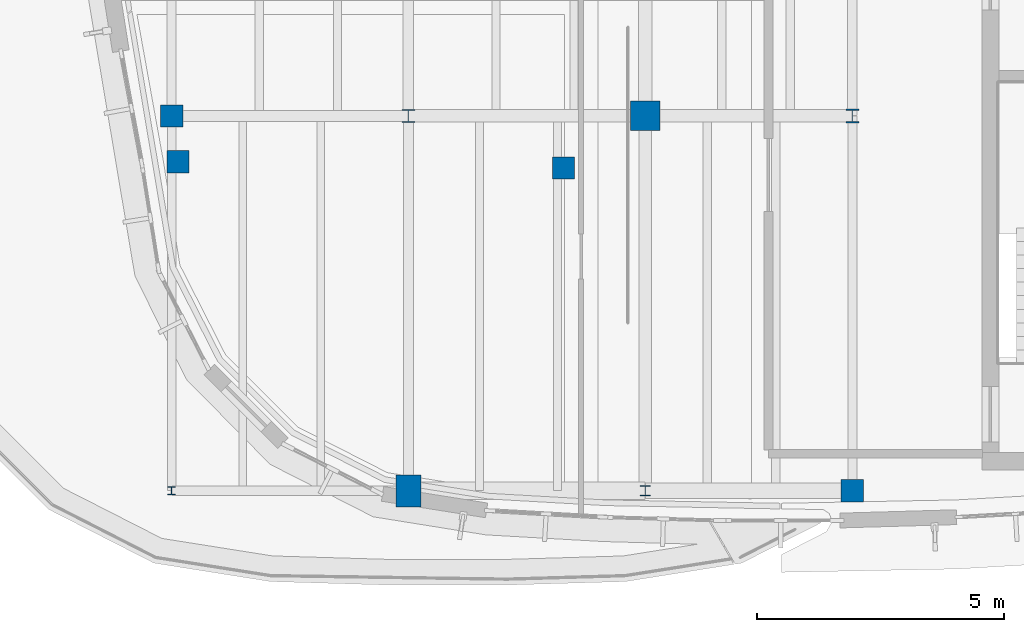
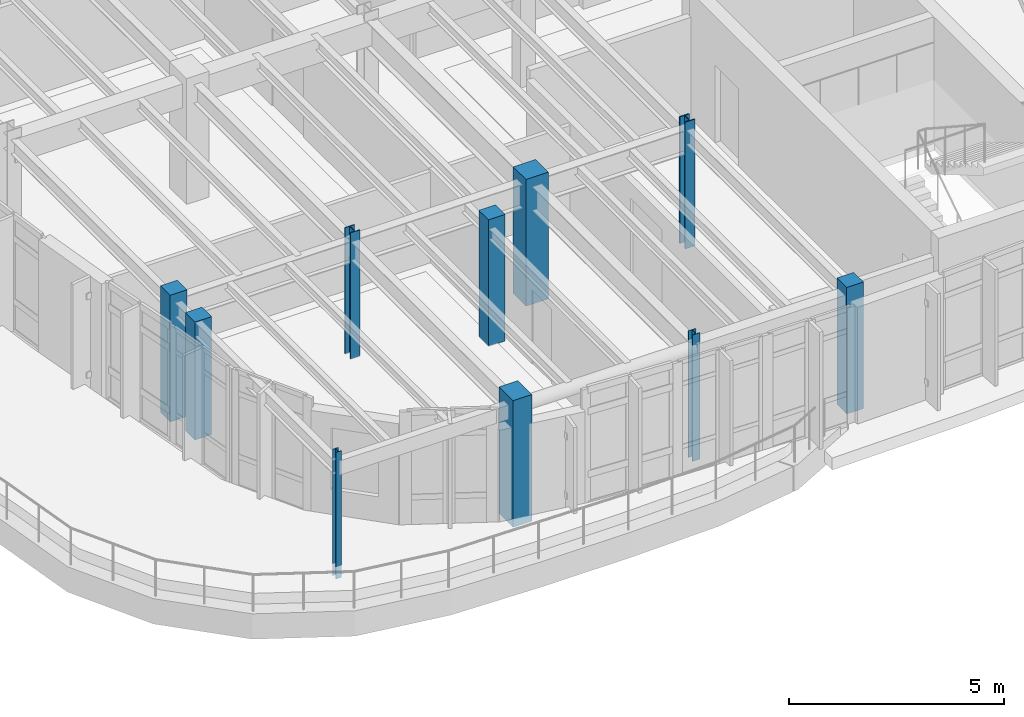
# One storey, part 1 of 30: 10 columns.
"""IFC4 building model written with IfcOpenShell, lengths in metres."""

from ifc_helpers import new_model, si_unit, direction, frame, origin, origin_2d, place, context, subcontext, project, spatial, rectangle, i_section, extrude, material, material_profile, profile_set, type_object, element, save


model = new_model("IFC4")

# Units and contexts
model_context = context("Model", 3, precision=1e-05, world=origin(), true_north=direction((0.0, 1.0)))
body_context = subcontext(model_context, "Body", "Model", "MODEL_VIEW")
ifc_project = project(units=[si_unit("LENGTHUNIT", "METRE"), si_unit("AREAUNIT", "SQUARE_METRE"), si_unit("VOLUMEUNIT", "CUBIC_METRE"), si_unit("PLANEANGLEUNIT", "RADIAN"), si_unit("MASSUNIT", "GRAM", prefix="KILO")], contexts=[model_context])

# Site, building, storey
site_placement = place(None, origin())
site = spatial("IfcSite", under=ifc_project, at=site_placement, CompositionType="ELEMENT")
building_placement = place(site_placement, origin())
building = spatial("IfcBuilding", under=site, at=building_placement, Name="Corveleigh Park Community Centre", CompositionType="ELEMENT")
storey_placement = place(building_placement, frame((0.0, 0.0, 12.60009765625)))
storey = spatial("IfcBuildingStorey", under=building, at=storey_placement, Name="L03", CompositionType="ELEMENT", Elevation=12.60009765625)

# Columns
ifc_material_1 = material(Name="Concrete C40/50", Category="concrete")
ifc_material_profile_1 = material_profile(ifc_material_1, rectangle(XDim=0.449951171875, YDim=0.449951171875, at=origin_2d()), Name="RC-450x450", Category="concrete")
ifc_profile_set_1 = profile_set([ifc_material_profile_1], Name="Concrete C40/50")
column_type_1 = type_object("IfcColumnType", Name="COL-RC-450x450", PredefinedType="COLUMN", material=ifc_profile_set_1)
for number, where, z_axis, x_axis, name in (
    (1, (144.199951171875, 66.199951171875, 0.0), (0.0, 0.0, 1.0), (1.0, 0.0, 0.0), "Column V4-X3Y1 L03"),
    (2, (158.0, 58.60009765625, 0.0), (0.0, 0.0, 1.0), (1.0, 0.0, 0.0), "Column V4-X6Y0 L03"),
):
    element("IfcColumn", number, at=place(storey_placement, frame(where, z_axis=z_axis, x_axis=x_axis)), inside=storey, type_object=column_type_1, Name=name, PredefinedType="COLUMN", context=body_context, shape_type="SweptSolid", body=[
        extrude(rectangle(XDim=0.449951171875, YDim=0.449951171875, at=origin_2d()), origin(), (0.0, 0.0, 1.0), 3.599853515625),
    ])
column_1_placement = place(storey_placement, frame((144.3291015625, 65.27294921875, 0.0), z_axis=(0.0, 0.0, 1.0), x_axis=(1.0, 0.0, 0.0)))
element("IfcColumn", 3, at=column_1_placement, inside=storey, type_object=column_type_1, Name="External deck support pier 137 L03", PredefinedType="COLUMN", context=body_context, shape_type="SweptSolid", body=[
    extrude(rectangle(XDim=0.449951171875, YDim=0.449951171875, at=origin_2d()), origin(), (0.0, 0.0, 1.0), 3.352783203125),
])
column_2_placement = place(storey_placement, frame((152.14697265625, 65.14404296875, 0.0), z_axis=(0.0, 0.0, 1.0), x_axis=(1.0, 0.0, 0.0)))
element("IfcColumn", 4, at=column_2_placement, inside=storey, type_object=column_type_1, Name="External deck support pier 139 L03", PredefinedType="COLUMN", context=body_context, shape_type="SweptSolid", body=[
    extrude(rectangle(XDim=0.449951171875, YDim=0.449951171875, at=origin_2d()), origin(), (0.0, 0.0, 1.0), 3.599853515625),
])
ifc_material_profile_2 = material_profile(ifc_material_1, rectangle(XDim=0.5, YDim=0.64990234375, at=origin_2d()), Name="RC-500x650", Category="concrete")
ifc_profile_set_2 = profile_set([ifc_material_profile_2], Name="Concrete C40/50")
column_type_2 = type_object("IfcColumnType", Name="COL-RC-500x650", PredefinedType="COLUMN", material=ifc_profile_set_2)
column_3_placement = place(storey_placement, frame((149.0, 58.60009765625, 0.0), z_axis=(0.0, 0.0, 1.0), x_axis=(1.0, 0.0, 0.0)))
element("IfcColumn", 5, at=column_3_placement, inside=storey, type_object=column_type_2, Name="Column V4-X4Y0 L03", PredefinedType="COLUMN", context=body_context, shape_type="SweptSolid", body=[
    extrude(rectangle(XDim=0.5, YDim=0.64990234375, at=origin_2d()), origin(), (0.0, 0.0, 1.0), 3.599853515625),
])
ifc_material_profile_3 = material_profile(ifc_material_1, rectangle(XDim=0.60009765625, YDim=0.60009765625, at=origin_2d()), Name="RC-600x600", Category="concrete")
ifc_profile_set_3 = profile_set([ifc_material_profile_3], Name="Concrete C40/50")
column_type_3 = type_object("IfcColumnType", Name="COL-RC-600x600", PredefinedType="COLUMN", material=ifc_profile_set_3)
column_4_placement = place(storey_placement, frame((153.800048828125, 66.199951171875, 0.0), z_axis=(0.0, 0.0, 1.0), x_axis=(1.0, 0.0, 0.0)))
element("IfcColumn", 6, at=column_4_placement, inside=storey, type_object=column_type_3, Name="Column V4-X5Y1 L03", PredefinedType="COLUMN", context=body_context, shape_type="SweptSolid", body=[
    extrude(rectangle(XDim=0.60009765625, YDim=0.60009765625, at=origin_2d()), origin(), (0.0, 0.0, 1.0), 3.599853515625),
])
ifc_material_2 = material(Name="Steel S355", Category="steel")
ifc_material_profile_4 = material_profile(ifc_material_2, i_section(OverallWidth=0.154296875, OverallDepth=0.161865234375, WebThickness=0.008056640625, FlangeThickness=0.011474609375, at=origin_2d()), Name="UKC 152x152x37", Category="steel")
ifc_profile_set_4 = profile_set([ifc_material_profile_4], Name="Steel S355")
column_type_4 = type_object("IfcColumnType", Name="COL-STL-UKC152x37", PredefinedType="COLUMN", material=ifc_profile_set_4)
column_5_placement = place(storey_placement, frame((144.199951171875, 58.60009765625, 0.0), z_axis=(0.0, 0.0, 1.0), x_axis=(1.0, 0.0, 0.0)))
element("IfcColumn", 7, at=column_5_placement, inside=storey, type_object=column_type_4, Name="Column V4-X3Y0 L03", PredefinedType="COLUMN", context=body_context, shape_type="SweptSolid", body=[
    extrude(i_section(OverallWidth=0.154296875, OverallDepth=0.161865234375, WebThickness=0.008056640625, FlangeThickness=0.011474609375, at=origin_2d()), origin(), (0.0, 0.0, 1.0), 3.599853515625),
])
ifc_material_profile_5 = material_profile(ifc_material_2, i_section(OverallWidth=0.20361328125, OverallDepth=0.203125, WebThickness=0.007080078125, FlangeThickness=0.010986328125, at=origin_2d()), Name="UKC 203x203x46", Category="steel")
ifc_profile_set_5 = profile_set([ifc_material_profile_5], Name="Steel S355")
column_type_5 = type_object("IfcColumnType", Name="COL-STL-UKC203x46", PredefinedType="COLUMN", material=ifc_profile_set_5)
column_6_placement = place(storey_placement, frame((153.800048828125, 58.60009765625, 0.0), z_axis=(0.0, 0.0, 1.0), x_axis=(1.0, 0.0, 0.0)))
element("IfcColumn", 8, at=column_6_placement, inside=storey, type_object=column_type_5, Name="Column V4-X5Y0 L03", PredefinedType="COLUMN", context=body_context, shape_type="SweptSolid", body=[
    extrude(i_section(OverallWidth=0.20361328125, OverallDepth=0.203125, WebThickness=0.007080078125, FlangeThickness=0.010986328125, at=origin_2d()), origin(), (0.0, 0.0, 1.0), 3.599853515625),
])
ifc_material_profile_6 = material_profile(ifc_material_2, i_section(OverallWidth=0.2587890625, OverallDepth=0.2666015625, WebThickness=0.0126953125, FlangeThickness=0.0205078125, at=origin_2d()), Name="UKC 254x254x107", Category="steel")
ifc_profile_set_6 = profile_set([ifc_material_profile_6], Name="Steel S355")
column_type_6 = type_object("IfcColumnType", Name="COL-STL-UKC254x107", PredefinedType="COLUMN", material=ifc_profile_set_6)
column_7_placement = place(storey_placement, frame((149.0, 66.199951171875, 0.0), z_axis=(0.0, 0.0, 1.0), x_axis=(1.0, 0.0, 0.0)))
element("IfcColumn", 9, at=column_7_placement, inside=storey, type_object=column_type_6, Name="Column V4-X4Y1 L03", PredefinedType="COLUMN", context=body_context, shape_type="SweptSolid", body=[
    extrude(i_section(OverallWidth=0.2587890625, OverallDepth=0.2666015625, WebThickness=0.0126953125, FlangeThickness=0.0205078125, at=origin_2d()), origin(), (0.0, 0.0, 1.0), 3.599853515625),
])
ifc_material_profile_7 = material_profile(ifc_material_2, i_section(OverallWidth=0.26123046875, OverallDepth=0.2763671875, WebThickness=0.015380859375, FlangeThickness=0.025390625, at=origin_2d()), Name="UKC 254x254x132", Category="steel")
ifc_profile_set_7 = profile_set([ifc_material_profile_7], Name="Steel S355")
column_type_7 = type_object("IfcColumnType", Name="COL-STL-UKC254x132", PredefinedType="COLUMN", material=ifc_profile_set_7)
column_8_placement = place(storey_placement, frame((158.0, 66.199951171875, 0.0), z_axis=(0.0, 0.0, 1.0), x_axis=(1.0, 0.0, 0.0)))
element("IfcColumn", 10, at=column_8_placement, inside=storey, type_object=column_type_7, Name="Column V4-X6Y1 L03", PredefinedType="COLUMN", context=body_context, shape_type="SweptSolid", body=[
    extrude(i_section(OverallWidth=0.26123046875, OverallDepth=0.2763671875, WebThickness=0.015380859375, FlangeThickness=0.025390625, at=origin_2d()), origin(), (0.0, 0.0, 1.0), 3.599853515625),
])

save(model, "model.ifc")
